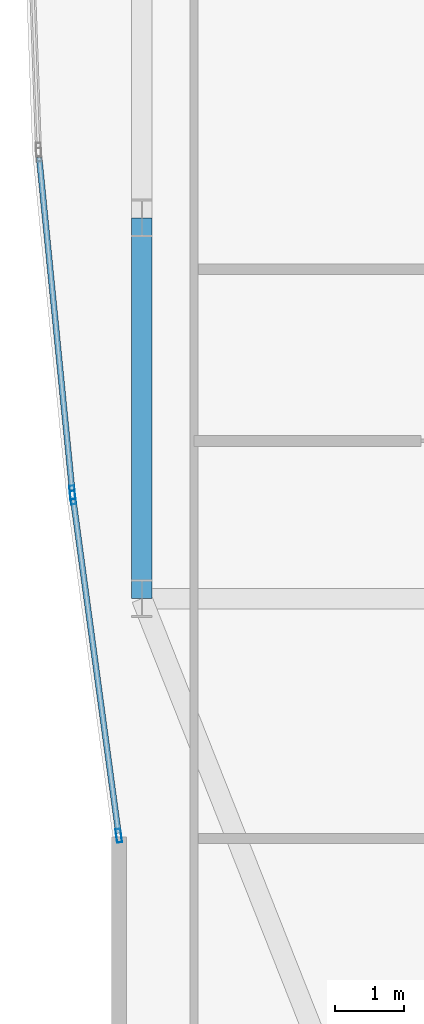
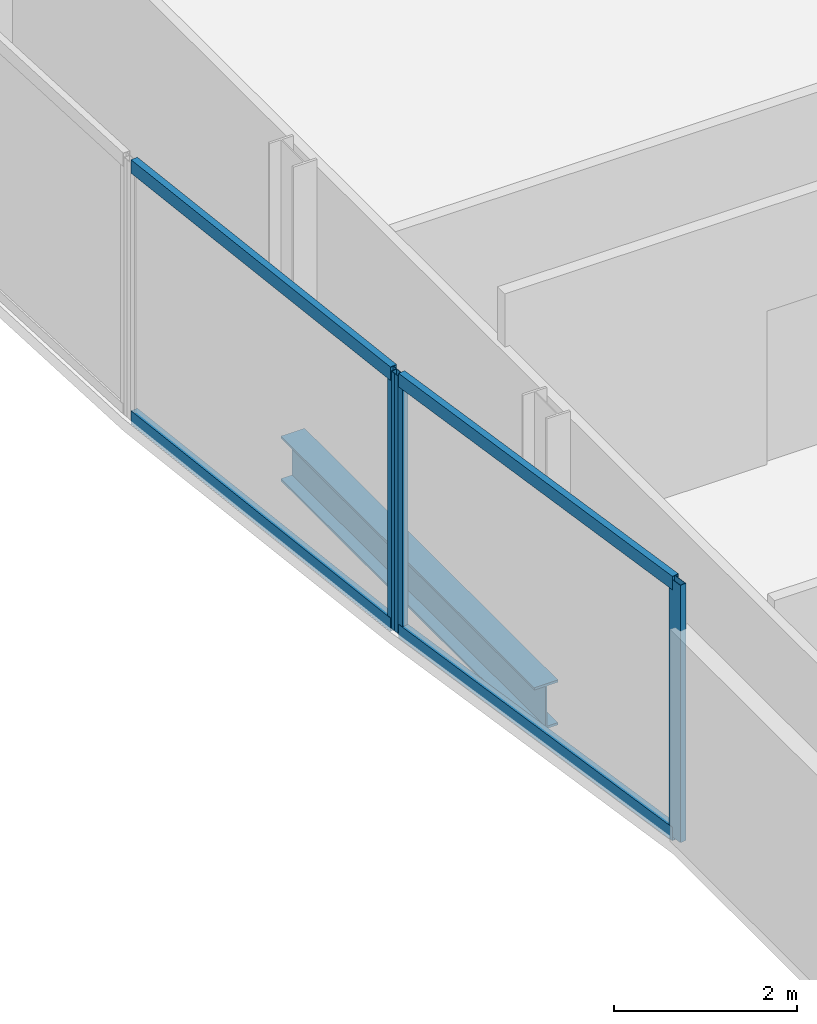
# One storey, part 6 of 32: 7 members, 1 beam, 2 elements without a shape of their own.
"""IFC4 building model written with IfcOpenShell, lengths in metres."""

from ifc_helpers import new_model, si_unit, direction, frame, origin, origin_2d, place, context, subcontext, project, spatial, hollow_rectangle, i_section, extrude, material, material_profile, profile_set, type_object, element, aggregate, save


model = new_model("IFC4")

# Units and contexts
model_context = context("Model", 3, precision=1e-05, world=origin(), true_north=direction((0.0, 1.0)))
body_context = subcontext(model_context, "Body", "Model", "MODEL_VIEW")
ifc_project = project(units=[si_unit("LENGTHUNIT", "METRE"), si_unit("AREAUNIT", "SQUARE_METRE"), si_unit("VOLUMEUNIT", "CUBIC_METRE"), si_unit("PLANEANGLEUNIT", "RADIAN"), si_unit("MASSUNIT", "GRAM", prefix="KILO")], contexts=[model_context])

# Site, building, storey
site_placement = place(None, origin())
site = spatial("IfcSite", under=ifc_project, at=site_placement, CompositionType="ELEMENT")
building_placement = place(site_placement, origin())
building = spatial("IfcBuilding", under=site, at=building_placement, Name="Khoronbel Lancet Exchange", CompositionType="ELEMENT")
storey_placement = place(building_placement, frame((0.0, 0.0, 125.39990234375)))
storey = spatial("IfcBuildingStorey", under=building, at=storey_placement, Name="L30", CompositionType="ELEMENT", Elevation=125.39990234375)

# Beam
ifc_material_1 = material(Name="Steel S355", Category="steel")
ifc_material_profile_1 = material_profile(ifc_material_1, i_section(OverallWidth=0.300048828125, OverallDepth=0.60009765625, WebThickness=0.015380859375, FlangeThickness=0.030029296875, at=origin_2d()), Name="HEB 600")
ifc_profile_set_1 = profile_set([ifc_material_profile_1], Name="Steel S355")
beam_type = type_object("IfcBeamType", Name="BM-BSP2", PredefinedType="SPANDREL", material=ifc_profile_set_1)
beam_placement = place(storey_placement, frame((3.27001953125, 24.75, -0.4599609375), z_axis=(0.0, -1.0, 0.0), x_axis=(1.0, 0.0, 0.0)))
element("IfcBeam", 1, at=beam_placement, inside=storey, type_object=beam_type, Name="Level L30 perimeter spandrel beam SP20", PredefinedType="SPANDREL", context=body_context, shape_type="SweptSolid", body=[
    extrude(i_section(OverallWidth=0.300048828125, OverallDepth=0.60009765625, WebThickness=0.015380859375, FlangeThickness=0.030029296875, at=origin_2d()), origin(), (0.0, 0.0, 1.0), 5.550048828125),
])

# Curtain wall, members
ifc_material_2 = material(Name="Low-E Solar Control Insulating Glass", Category="glass")
curtain_wall_type = type_object("IfcCurtainWallType", Name="CW-4", PredefinedType="NOTDEFINED", material=ifc_material_2)
curtain_wall_1_placement = place(storey_placement, origin())
curtain_wall_1 = element("IfcCurtainWall", 2, at=curtain_wall_1_placement, inside=storey, type_object=curtain_wall_type, Name="Unitised curtain wall CW-L30-E04", PredefinedType="NOTDEFINED")
ifc_material_3 = material(Name="Bronze-Anodised Aluminium 6063-T6", Category="aluminium")
ifc_material_profile_2 = material_profile(ifc_material_3, hollow_rectangle(XDim=0.074951171875, YDim=0.199951171875, WallThickness=0.0048828125, at=origin_2d()), Name="ALU MULLION 75x200")
ifc_profile_set_2 = profile_set([ifc_material_profile_2], Name="Bronze-Anodised Aluminium 6063-T6")
member_type_1 = type_object("IfcMemberType", Name="MEM-CWM2", PredefinedType="MULLION", material=ifc_profile_set_2)
member_1_placement = place(storey_placement, frame((2.93505859375, 15.7431640625, 0.0), z_axis=(0.0, 0.0, 1.0), x_axis=(-0.990939013148, -0.134312591445, 0.0)))
member_1 = element("IfcMember", 3, at=member_1_placement, type_object=member_type_1, Name="CW4 mullion 1", PredefinedType="MULLION", context=body_context, shape_type="SweptSolid", body=[
    extrude(hollow_rectangle(XDim=0.074951171875, YDim=0.199951171875, WallThickness=0.0048828125, at=origin_2d()), origin(), (0.0, 0.0, 1.0), 3.440185546875),
])
member_2_placement = place(storey_placement, frame((2.266845703125, 20.67333984375, 0.0), z_axis=(0.0, 0.0, 1.0), x_axis=(-0.990939013148, -0.134312591445, 0.0)))
member_2 = element("IfcMember", 4, at=member_2_placement, type_object=member_type_1, Name="CW4 mullion 2", PredefinedType="MULLION", context=body_context, shape_type="SweptSolid", body=[
    extrude(hollow_rectangle(XDim=0.074951171875, YDim=0.199951171875, WallThickness=0.0048828125, at=origin_2d()), origin(), (0.0, 0.0, 1.0), 3.440185546875),
])

# Curtain wall, member
curtain_wall_2_placement = place(storey_placement, origin())
curtain_wall_2 = element("IfcCurtainWall", 5, at=curtain_wall_2_placement, inside=storey, type_object=curtain_wall_type, Name="Unitised curtain wall CW-L30-E05", PredefinedType="NOTDEFINED")
member_3_placement = place(storey_placement, frame((2.258056640625, 20.747802734375, 0.0), z_axis=(0.0, 0.0, 1.0), x_axis=(-0.99511302808, -0.098742398922, 0.0)))
member_3 = element("IfcMember", 6, at=member_3_placement, type_object=member_type_1, Name="CW4 mullion 1", PredefinedType="MULLION", context=body_context, shape_type="SweptSolid", body=[
    extrude(hollow_rectangle(XDim=0.074951171875, YDim=0.199951171875, WallThickness=0.0048828125, at=origin_2d()), origin(), (0.0, 0.0, 1.0), 3.440185546875),
])

# Member
ifc_material_profile_3 = material_profile(ifc_material_3, hollow_rectangle(XDim=0.0849609375, YDim=0.179931640625, WallThickness=0.0048828125, at=origin_2d()), Name="ALU TRANSOM 85x180")
ifc_profile_set_3 = profile_set([ifc_material_profile_3], Name="Bronze-Anodised Aluminium 6063-T6")
member_type_2 = type_object("IfcMemberType", Name="MEM-CWT1", PredefinedType="USERDEFINED", material=ifc_profile_set_3)
member_4_placement = place(storey_placement, frame((2.929931640625, 15.780517578125, 0.04248046875), z_axis=(-0.134323870368, 0.99093748433, 0.0), x_axis=(-0.99093748433, -0.134323870368, 0.0)))
member_4 = element("IfcMember", 7, at=member_4_placement, type_object=member_type_2, Name="CW4 transom 1.1", ObjectType="TRANSOM", PredefinedType="USERDEFINED", context=body_context, shape_type="SweptSolid", body=[
    extrude(hollow_rectangle(XDim=0.0849609375, YDim=0.179931640625, WallThickness=0.0048828125, at=origin_2d()), origin(), (0.0, 0.0, 1.0), 4.900146484375),
])

member_5_placement = place(storey_placement, frame((2.929931640625, 15.780517578125, 3.397705078125), z_axis=(-0.134323870368, 0.99093748433, 0.0), x_axis=(-0.99093748433, -0.134323870368, 0.0)))
member_5 = element("IfcMember", 8, at=member_5_placement, type_object=member_type_2, Name="CW4 transom 1.2", ObjectType="TRANSOM", PredefinedType="USERDEFINED", context=body_context, shape_type="SweptSolid", body=[
    extrude(hollow_rectangle(XDim=0.0849609375, YDim=0.179931640625, WallThickness=0.0048828125, at=origin_2d()), origin(), (0.0, 0.0, 1.0), 4.900146484375),
])

aggregate(curtain_wall_1, [member_1, member_2, member_4, member_5])

member_6_placement = place(storey_placement, frame((2.25439453125, 20.78515625, 0.04248046875), z_axis=(-0.098759163124, 0.995111364471, 0.0), x_axis=(-0.995111364471, -0.098759163124, 0.0)))
member_6 = element("IfcMember", 9, at=member_6_placement, type_object=member_type_2, Name="CW4 transom 1.1", ObjectType="TRANSOM", PredefinedType="USERDEFINED", context=body_context, shape_type="SweptSolid", body=[
    extrude(hollow_rectangle(XDim=0.0849609375, YDim=0.179931640625, WallThickness=0.0048828125, at=origin_2d()), origin(), (0.0, 0.0, 1.0), 4.8701171875),
])

member_7_placement = place(storey_placement, frame((2.25439453125, 20.78515625, 3.397705078125), z_axis=(-0.098759163124, 0.995111364471, 0.0), x_axis=(-0.995111364471, -0.098759163124, 0.0)))
member_7 = element("IfcMember", 10, at=member_7_placement, type_object=member_type_2, Name="CW4 transom 1.2", ObjectType="TRANSOM", PredefinedType="USERDEFINED", context=body_context, shape_type="SweptSolid", body=[
    extrude(hollow_rectangle(XDim=0.0849609375, YDim=0.179931640625, WallThickness=0.0048828125, at=origin_2d()), origin(), (0.0, 0.0, 1.0), 4.8701171875),
])

aggregate(curtain_wall_2, [member_3, member_6, member_7])

save(model, "model.ifc")
